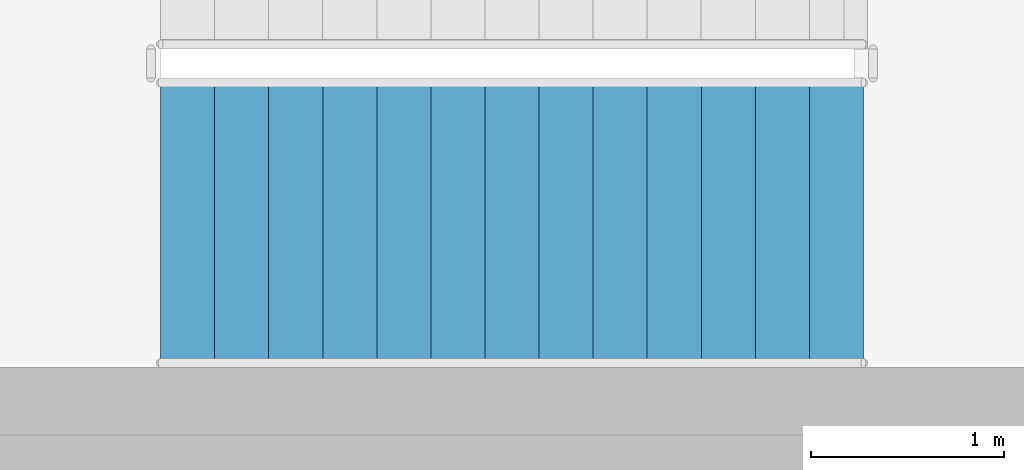
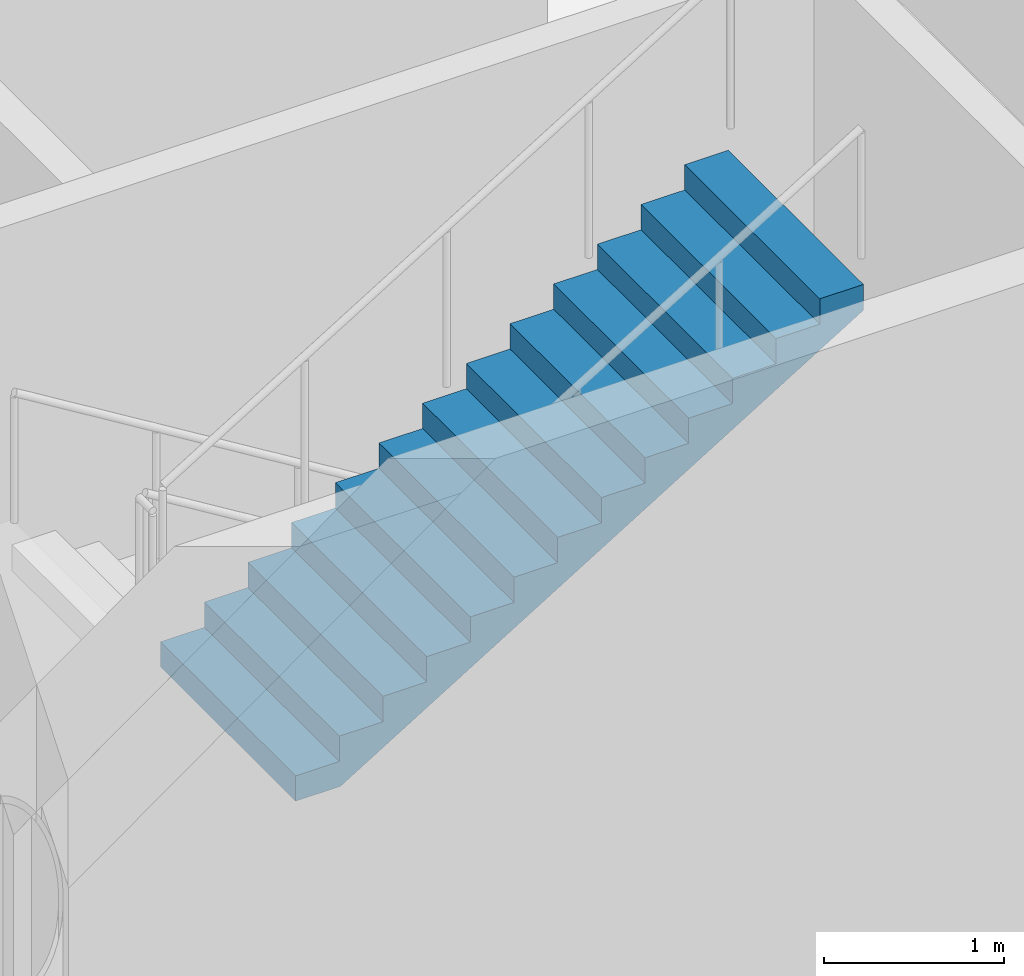
# One storey, part 65 of 91: 1 stair flight, 1 element without a shape of its own.
"""IFC4 building model written with IfcOpenShell, lengths in metres."""

import ifcopenshell
import ifcopenshell.guid

model = None  # the IFC model being written
_history = None  # IfcOwnerHistory: only IFC2X3 demands one
_inside = {}  # id of a spatial element -> (the spatial element, [elements in it])
_under = {}  # id of a project, library or spatial element -> (it, [spatial elements below it])
_declared = {}  # id of a project -> (the project, [libraries it declares])
_typed = {}  # id of a type object -> (the type object, [elements of that type])
_made_of = {}  # id of a material, layer set ... -> (it, [elements and type objects made of it])


def new_model(schema):
    """Start an empty IFC model of exactly this schema.

    Asked for "IFC4X3", IfcOpenShell would pick the latest addendum, in which some entities
    have other attributes; the version numbers below select the first issue.
    IFC2X3 requires an IfcOwnerHistory on every rooted entity: one is made here for all.
    """
    global model, _history
    if schema == "IFC4X3":
        model = ifcopenshell.file(schema_version=(4, 3, 0, 0))
    else:
        model = ifcopenshell.file(schema=schema)
    _inside.clear()
    _under.clear()
    _declared.clear()
    _typed.clear()
    _made_of.clear()
    _history = None
    if model.schema == "IFC2X3":
        org = make("IfcOrganization", Name="unknown")
        user = make(
            "IfcPersonAndOrganization",
            ThePerson=make("IfcPerson", FamilyName="unknown"),
            TheOrganization=org,
        )
        app = make(
            "IfcApplication",
            ApplicationDeveloper=org,
            Version="unknown",
            ApplicationFullName="unknown",
            ApplicationIdentifier="unknown",
        )
        _history = make(
            "IfcOwnerHistory",
            OwningUser=user,
            OwningApplication=app,
            ChangeAction="ADDED",
            CreationDate=0,
        )
    return model


def make(cls, **values):
    """One entity of the class cls with the attributes given. An attribute that is None is left unset."""
    return model.create_entity(
        cls, **{name: value for name, value in values.items() if value is not None}
    )


def rooted(cls, **values):
    """An entity with a GlobalId (a new one), such as an element, a storey or a relation."""
    return make(cls, GlobalId=ifcopenshell.guid.new(), OwnerHistory=_history, **values)


def si_unit(unit_type, name, prefix=None):
    """IfcSIUnit, for example si_unit("LENGTHUNIT", "METRE", prefix="MILLI")."""
    return make("IfcSIUnit", UnitType=unit_type, Prefix=prefix, Name=name)


def assignment(units):
    """IfcUnitAssignment: the units of a project."""
    return None if units is None else make("IfcUnitAssignment", Units=units)


def point(xyz):
    """IfcCartesianPoint."""
    return None if xyz is None else make("IfcCartesianPoint", Coordinates=xyz)


def direction(xyz):
    """IfcDirection."""
    return None if xyz is None else make("IfcDirection", DirectionRatios=xyz)


def frame(location, z_axis=None, x_axis=None):
    """IfcAxis2Placement3D, a coordinate frame: its origin and axes. An axis left out is left unset."""
    return make(
        "IfcAxis2Placement3D",
        Location=point(location),
        Axis=direction(z_axis),
        RefDirection=direction(x_axis),
    )


def origin():
    """The frame at (0, 0, 0) with its axes left unset."""
    return frame((0.0, 0.0, 0.0))


def place(relative_to, where):
    """IfcLocalPlacement: puts the frame where relative to a parent placement (None: the world)."""
    return make(
        "IfcLocalPlacement", PlacementRelTo=relative_to, RelativePlacement=where
    )


def context(
    kind, dimensions, precision=None, world=None, true_north=None, identifier=None
):
    """IfcGeometricRepresentationContext, for example the 3D "Model" context."""
    return make(
        "IfcGeometricRepresentationContext",
        ContextIdentifier=identifier,
        ContextType=kind,
        CoordinateSpaceDimension=dimensions,
        Precision=precision,
        WorldCoordinateSystem=world,
        TrueNorth=true_north,
    )


def subcontext(parent, identifier, kind, view, scale=None):
    """IfcGeometricRepresentationSubContext, for example "Body" below "Model"."""
    return make(
        "IfcGeometricRepresentationSubContext",
        ContextIdentifier=identifier,
        ContextType=kind,
        ParentContext=parent,
        TargetScale=scale,
        TargetView=view,
    )


def project(units=None, contexts=None):
    """IfcProject with its units and contexts."""
    return rooted(
        "IfcProject",
        Name="project",
        RepresentationContexts=contexts,
        UnitsInContext=assignment(units),
    )


def spatial(cls, under=None, at=None, **own):
    """A site, building, storey or space (cls), placed at a placement, below another one or the project."""
    s = rooted(cls, ObjectPlacement=at, **own)
    if under is not None:
        _under.setdefault(under.id(), (under, []))[1].append(s)
    return s


def point_list(points):
    """IfcCartesianPointList2D or 3D."""
    cls = (
        "IfcCartesianPointList2D" if len(points[0]) == 2 else "IfcCartesianPointList3D"
    )
    return make(cls, CoordList=points)


def triangles(points, corners, closed=None, point_numbers=None):
    """IfcTriangulatedFaceSet: each triangle names its three corners, points numbered from 1."""
    return make(
        "IfcTriangulatedFaceSet",
        Coordinates=point_list(points),
        Closed=closed,
        CoordIndex=corners,
        PnIndex=point_numbers,
    )


def shape(context_of_items, identifier, shape_type, items):
    """IfcShapeRepresentation: the items that make up one representation, for example the "Body"."""
    return make(
        "IfcShapeRepresentation",
        ContextOfItems=context_of_items,
        RepresentationIdentifier=identifier,
        RepresentationType=shape_type,
        Items=items,
    )


def material(Name=None, Category=None):
    """IfcMaterial."""
    return make("IfcMaterial", Name=Name, Category=Category)


def made_of(thing, what):
    """Note that an element or type object is made of a material, layer set ...; save() writes the relation."""
    if what is not None:
        _made_of.setdefault(what.id(), (what, []))[1].append(thing)
    return thing


def type_object(cls, material=None, **own):
    """A type object (cls), such as IfcWallType, which elements share."""
    return made_of(rooted(cls, **own), material)


def element(
    cls,
    number,
    at=None,
    inside=None,
    cuts=None,
    type_object=None,
    material=None,
    context=None,
    identifier="Body",
    shape_type=None,
    held_by="IfcProductDefinitionShape",
    body=None,
    shapes=None,
    **own,
):
    """One element of the class cls, such as IfcWall. Its Tag is "e" and its number.

    at: its placement. inside: the storey or other place that contains it. cuts: it is an
    opening in that element (IfcRelVoidsElement). A single representation is given by context,
    identifier, shape_type and body (its items); several are given by shapes. held_by: the class
    of the entity that holds the representations. save() writes the other relations.
    """
    e = rooted(cls, Tag="e%d" % number, ObjectPlacement=at, **own)
    if body is not None:
        shapes = [shape(context, identifier, shape_type, body)]
    if shapes is not None:
        e.Representation = make(held_by, Representations=shapes)
    if inside is not None:
        _inside.setdefault(inside.id(), (inside, []))[1].append(e)
    if cuts is not None:
        rooted(
            "IfcRelVoidsElement", RelatingBuildingElement=cuts, RelatedOpeningElement=e
        )
    if type_object is not None:
        _typed.setdefault(type_object.id(), (type_object, []))[1].append(e)
    return made_of(e, material)


def aggregate(whole, parts):
    """IfcRelAggregates: a whole, such as a stair, and the parts it consists of."""
    return rooted("IfcRelAggregates", RelatingObject=whole, RelatedObjects=parts)


def save(model, path):
    """Write the relations noted so far, then the file.

    IfcRelAggregates (storeys below a building ...), IfcRelContainedInSpatialStructure (elements
    in a storey), IfcRelDefinesByType, IfcRelAssociatesMaterial and IfcRelDeclares: one each for
    every whole, place, type object, material and project.
    """
    for whole, parts in _under.values():
        aggregate(whole, parts)
    for where, things in _inside.values():
        rooted(
            "IfcRelContainedInSpatialStructure",
            RelatedElements=things,
            RelatingStructure=where,
        )
    for kind, things in _typed.values():
        rooted("IfcRelDefinesByType", RelatedObjects=things, RelatingType=kind)
    for what, things in _made_of.values():
        rooted("IfcRelAssociatesMaterial", RelatedObjects=things, RelatingMaterial=what)
    for by, libraries in _declared.values():
        rooted("IfcRelDeclares", RelatingContext=by, RelatedDefinitions=libraries)
    model.write(path)


model = new_model("IFC4")

# Units and contexts
model_context = context("Model", 3, precision=1e-05, world=origin(), true_north=direction((0.0, 1.0)))
body_context = subcontext(model_context, "Body", "Model", "MODEL_VIEW")
ifc_project = project(units=[si_unit("LENGTHUNIT", "METRE"), si_unit("AREAUNIT", "SQUARE_METRE"), si_unit("VOLUMEUNIT", "CUBIC_METRE"), si_unit("PLANEANGLEUNIT", "RADIAN"), si_unit("MASSUNIT", "GRAM", prefix="KILO")], contexts=[model_context])

# Site, building, storey
site_placement = place(None, origin())
site = spatial("IfcSite", under=ifc_project, at=site_placement, CompositionType="ELEMENT")
building_placement = place(site_placement, origin())
building = spatial("IfcBuilding", under=site, at=building_placement, Name="Magnolia Steps Interchange", CompositionType="ELEMENT")
storey_placement = place(building_placement, origin())
storey = spatial("IfcBuildingStorey", under=building, at=storey_placement, Name="L00", CompositionType="ELEMENT", Elevation=0.0)

# Stair, stair flight
ifc_material_1 = material(Name="Concrete C40", Category="concrete")
stair_type = type_object("IfcStairType", Name="Exit stair 1500", PredefinedType="HALF_TURN_STAIR", material=ifc_material_1)
stair_placement = place(storey_placement, origin())
stair = element("IfcStair", 1, at=stair_placement, inside=storey, type_object=stair_type, Name="L00 Stair 1", PredefinedType="HALF_TURN_STAIR")
ifc_material_2 = material(Name="Concrete C40", Category="concrete")
stair_flight_type = type_object("IfcStairFlightType", Name="Exit stair flight", PredefinedType="STRAIGHT", material=ifc_material_2)
stair_flight_placement = place(storey_placement, frame((55.360107421875, 76.050048828125, 2.39990234375), z_axis=(0.0, 0.0, 1.0), x_axis=(1.0, 0.0, 0.0)))
stair_flight = element("IfcStairFlight", 2, at=stair_flight_placement, type_object=stair_flight_type, Name="Stair 1 flight 2", NumberOfRisers=14, NumberOfTreads=13, PredefinedType="STRAIGHT", RiserHeight=0.171428571, TreadLength=0.28, context=body_context, shape_type="Tessellation", body=[
    triangles([(0.0, -0.75, 0.0), (0.287109375, -0.75, 0.0), (3.639892578125, -0.75, 2.052734375), (3.639892578125, -0.75, 2.228515625), (3.360107421875, -0.75, 2.228515625), (3.360107421875, -0.75, 2.05712890625), (3.080078125, -0.75, 2.05712890625), (3.080078125, -0.75, 1.8857421875), (2.800048828125, -0.75, 1.8857421875), (2.800048828125, -0.75, 1.71435546875), (2.52001953125, -0.75, 1.71435546875), (2.52001953125, -0.75, 1.54296875), (2.239990234375, -0.75, 1.54296875), (2.239990234375, -0.75, 1.371337890625), (1.9599609375, -0.75, 1.371337890625), (1.9599609375, -0.75, 1.199951171875), (1.679931640625, -0.75, 1.199951171875), (1.679931640625, -0.75, 1.028564453125), (1.39990234375, -0.75, 1.028564453125), (1.39990234375, -0.75, 0.857177734375), (1.1201171875, -0.75, 0.857177734375), (1.1201171875, -0.75, 0.685791015625), (0.840087890625, -0.75, 0.685791015625), (0.840087890625, -0.75, 0.514404296875), (0.56005859375, -0.75, 0.514404296875), (0.56005859375, -0.75, 0.3427734375), (0.280029296875, -0.75, 0.3427734375), (0.280029296875, -0.75, 0.17138671875), (0.0, -0.75, 0.17138671875), (0.0, 0.75, 0.0), (0.287109375, 0.75, 0.0), (3.639892578125, 0.75, 2.052734375), (3.639892578125, 0.75, 2.228515625), (3.360107421875, 0.75, 2.228515625), (3.360107421875, 0.75, 2.05712890625), (3.080078125, 0.75, 2.05712890625), (3.080078125, 0.75, 1.8857421875), (2.800048828125, 0.75, 1.8857421875), (2.800048828125, 0.75, 1.71435546875), (2.52001953125, 0.75, 1.71435546875), (2.52001953125, 0.75, 1.54296875), (2.239990234375, 0.75, 1.54296875), (2.239990234375, 0.75, 1.371337890625), (1.9599609375, 0.75, 1.371337890625), (1.9599609375, 0.75, 1.199951171875), (1.679931640625, 0.75, 1.199951171875), (1.679931640625, 0.75, 1.028564453125), (1.39990234375, 0.75, 1.028564453125), (1.39990234375, 0.75, 0.857177734375), (1.1201171875, 0.75, 0.857177734375), (1.1201171875, 0.75, 0.685791015625), (0.840087890625, 0.75, 0.685791015625), (0.840087890625, 0.75, 0.514404296875), (0.56005859375, 0.75, 0.514404296875), (0.56005859375, 0.75, 0.3427734375), (0.280029296875, 0.75, 0.3427734375), (0.280029296875, 0.75, 0.17138671875), (0.0, 0.75, 0.17138671875), (0.0, 0.0, 0.0), (0.0, 0.0, 0.0428466796875), (0.0, 0.0, 0.085693359375), (0.0, 0.0, 0.1285400390625), (0.0, 0.0, 0.17138671875), (0.0, -0.05, 0.0), (0.0, -0.05, 0.17138671875), (0.0, 0.05, 0.0), (0.0, 0.05, 0.17138671875), (0.046671549479166664, 0.0, 0.17138671875), (0.09334309895833333, 0.0, 0.17138671875), (0.1400146484375, 0.0, 0.17138671875), (0.18668619791666666, 0.0, 0.17138671875), (0.23335774739583334, 0.0, 0.17138671875), (0.280029296875, 0.0, 0.17138671875), (0.280029296875, -0.05, 0.17138671875), (0.280029296875, 0.05, 0.17138671875), (0.280029296875, 0.0, 0.2142333984375), (0.280029296875, 0.0, 0.257080078125), (0.280029296875, 0.0, 0.2999267578125), (0.280029296875, 0.0, 0.3427734375), (0.280029296875, -0.05, 0.3427734375), (0.280029296875, 0.05, 0.3427734375), (0.3267008463541667, 0.0, 0.3427734375), (0.3733723958333333, 0.0, 0.3427734375), (0.4200439453125, 0.0, 0.3427734375), (0.46671549479166663, 0.0, 0.3427734375), (0.5133870442708334, 0.0, 0.3427734375), (0.56005859375, 0.0, 0.3427734375), (0.56005859375, -0.05, 0.3427734375), (0.56005859375, 0.05, 0.3427734375), (0.56005859375, 0.0, 0.38568115234375), (0.56005859375, 0.0, 0.4285888671875), (0.56005859375, 0.0, 0.47149658203125), (0.56005859375, 0.0, 0.514404296875), (0.56005859375, -0.05, 0.514404296875), (0.56005859375, 0.05, 0.514404296875), (0.6067301432291666, 0.0, 0.514404296875), (0.6534016927083334, 0.0, 0.514404296875), (0.7000732421875, 0.0, 0.514404296875), (0.7467447916666666, 0.0, 0.514404296875), (0.7934163411458334, 0.0, 0.514404296875), (0.840087890625, 0.0, 0.514404296875), (0.840087890625, -0.05, 0.514404296875), (0.840087890625, 0.05, 0.514404296875), (0.840087890625, 0.0, 0.5572509765625), (0.840087890625, 0.0, 0.60009765625), (0.840087890625, 0.0, 0.6429443359375), (0.840087890625, 0.0, 0.685791015625), (0.840087890625, -0.05, 0.685791015625), (0.840087890625, 0.05, 0.685791015625), (0.8867594401041666, 0.0, 0.685791015625), (0.9334309895833334, 0.0, 0.685791015625), (0.9801025390625, 0.0, 0.685791015625), (1.0267740885416667, 0.0, 0.685791015625), (1.0734456380208333, 0.0, 0.685791015625), (1.1201171875, 0.0, 0.685791015625), (1.1201171875, -0.05, 0.685791015625), (1.1201171875, 0.05, 0.685791015625), (1.1201171875, 0.0, 0.7286376953125), (1.1201171875, 0.0, 0.771484375), (1.1201171875, 0.0, 0.8143310546875), (1.1201171875, 0.0, 0.857177734375), (1.1201171875, -0.05, 0.857177734375), (1.1201171875, 0.05, 0.857177734375), (1.1900634765625, 0.0, 0.857177734375), (1.260009765625, 0.0, 0.857177734375), (1.3299560546875, 0.0, 0.857177734375), (1.39990234375, 0.0, 0.857177734375), (1.39990234375, -0.05, 0.857177734375), (1.39990234375, 0.05, 0.857177734375), (1.39990234375, 0.0, 0.9000244140625), (1.39990234375, 0.0, 0.94287109375), (1.39990234375, 0.0, 0.9857177734375), (1.39990234375, 0.0, 1.028564453125), (1.39990234375, -0.05, 1.028564453125), (1.39990234375, 0.05, 1.028564453125), (1.4465738932291667, 0.0, 1.028564453125), (1.4932454427083333, 0.0, 1.028564453125), (1.5399169921875, 0.0, 1.028564453125), (1.5865885416666667, 0.0, 1.028564453125), (1.6332600911458333, 0.0, 1.028564453125), (1.679931640625, 0.0, 1.028564453125), (1.679931640625, -0.05, 1.028564453125), (1.679931640625, 0.05, 1.028564453125), (1.679931640625, 0.0, 1.0714111328125), (1.679931640625, 0.0, 1.1142578125), (1.679931640625, 0.0, 1.1571044921875), (1.679931640625, 0.0, 1.199951171875), (1.679931640625, -0.05, 1.199951171875), (1.679931640625, 0.05, 1.199951171875), (1.7266031901041667, 0.0, 1.199951171875), (1.7732747395833333, 0.0, 1.199951171875), (1.8199462890625, 0.0, 1.199951171875), (1.8666178385416667, 0.0, 1.199951171875), (1.9132893880208333, 0.0, 1.199951171875), (1.9599609375, 0.0, 1.199951171875), (1.9599609375, -0.05, 1.199951171875), (1.9599609375, 0.05, 1.199951171875), (1.9599609375, 0.0, 1.2427978515625), (1.9599609375, 0.0, 1.28564453125), (1.9599609375, 0.0, 1.3284912109375), (1.9599609375, 0.0, 1.371337890625), (1.9599609375, -0.05, 1.371337890625), (1.9599609375, 0.05, 1.371337890625), (2.0066324869791665, 0.0, 1.371337890625), (2.0533040364583335, 0.0, 1.371337890625), (2.0999755859375, 0.0, 1.371337890625), (2.1466471354166665, 0.0, 1.371337890625), (2.1933186848958335, 0.0, 1.371337890625), (2.239990234375, 0.0, 1.371337890625), (2.239990234375, -0.05, 1.371337890625), (2.239990234375, 0.05, 1.371337890625), (2.239990234375, 0.0, 1.41424560546875), (2.239990234375, 0.0, 1.4571533203125), (2.239990234375, 0.0, 1.50006103515625), (2.239990234375, 0.0, 1.54296875), (2.239990234375, -0.05, 1.54296875), (2.239990234375, 0.05, 1.54296875), (2.2866617838541665, 0.0, 1.54296875), (2.3333333333333335, 0.0, 1.54296875), (2.3800048828125, 0.0, 1.54296875), (2.4266764322916665, 0.0, 1.54296875), (2.4733479817708335, 0.0, 1.54296875), (2.52001953125, 0.0, 1.54296875), (2.52001953125, -0.05, 1.54296875), (2.52001953125, 0.05, 1.54296875), (2.52001953125, 0.0, 1.5858154296875), (2.52001953125, 0.0, 1.628662109375), (2.52001953125, 0.0, 1.6715087890625), (2.52001953125, 0.0, 1.71435546875), (2.52001953125, -0.05, 1.71435546875), (2.52001953125, 0.05, 1.71435546875), (2.5666910807291665, 0.0, 1.71435546875), (2.6133626302083335, 0.0, 1.71435546875), (2.6600341796875, 0.0, 1.71435546875), (2.7067057291666665, 0.0, 1.71435546875), (2.7533772786458335, 0.0, 1.71435546875), (2.800048828125, 0.0, 1.71435546875), (2.800048828125, -0.05, 1.71435546875), (2.800048828125, 0.05, 1.71435546875), (2.800048828125, 0.0, 1.7572021484375), (2.800048828125, 0.0, 1.800048828125), (2.800048828125, 0.0, 1.8428955078125), (2.800048828125, 0.0, 1.8857421875), (2.800048828125, -0.05, 1.8857421875), (2.800048828125, 0.05, 1.8857421875), (2.8467203776041665, 0.0, 1.8857421875), (2.8933919270833335, 0.0, 1.8857421875), (2.9400634765625, 0.0, 1.8857421875), (2.9867350260416665, 0.0, 1.8857421875), (3.0334065755208335, 0.0, 1.8857421875), (3.080078125, 0.0, 1.8857421875), (3.080078125, -0.05, 1.8857421875), (3.080078125, 0.05, 1.8857421875), (3.080078125, 0.0, 1.9285888671875), (3.080078125, 0.0, 1.971435546875), (3.080078125, 0.0, 2.0142822265625), (3.080078125, 0.0, 2.05712890625), (3.080078125, -0.05, 2.05712890625), (3.080078125, 0.05, 2.05712890625), (3.1267496744791665, 0.0, 2.05712890625), (3.1734212239583335, 0.0, 2.05712890625), (3.2200927734375, 0.0, 2.05712890625), (3.2667643229166665, 0.0, 2.05712890625), (3.3134358723958335, 0.0, 2.05712890625), (3.360107421875, 0.0, 2.05712890625), (3.360107421875, -0.05, 2.05712890625), (3.360107421875, 0.05, 2.05712890625), (3.360107421875, 0.0, 2.0999755859375), (3.360107421875, 0.0, 2.142822265625), (3.360107421875, 0.0, 2.1856689453125), (3.360107421875, 0.0, 2.228515625), (3.360107421875, -0.05, 2.228515625), (3.360107421875, 0.05, 2.228515625), (3.4300537109375, 0.0, 2.228515625), (3.5, 0.0, 2.228515625), (3.5699462890625, 0.0, 2.228515625), (3.639892578125, 0.0, 2.228515625), (3.639892578125, -0.05, 2.228515625), (3.639892578125, 0.05, 2.228515625), (3.639892578125, 0.0, 2.1845703125), (3.639892578125, 0.0, 2.140625), (3.639892578125, 0.0, 2.0966796875), (3.639892578125, 0.0, 2.052734375), (3.639892578125, -0.05, 2.052734375), (3.639892578125, 0.05, 2.052734375), (3.582085971174569, 0.0, 2.0173424030172415), (3.524279364224138, 0.0, 1.9819504310344827), (3.466472757273707, 0.0, 1.9465584590517242), (3.408666150323276, 0.0, 1.9111664870689655), (3.3508595433728448, 0.0, 1.8757745150862069), (3.2930529364224137, 0.0, 1.8403825431034484), (3.2352463294719827, 0.0, 1.8049905711206897), (3.1774397225215516, 0.0, 1.769598599137931), (3.1196331155711206, 0.0, 1.7342066271551724), (3.0618265086206895, 0.0, 1.6988146551724137), (3.004019901670259, 0.0, 1.6634226831896552), (2.9462132947198274, 0.0, 1.6280307112068966), (2.888406687769397, 0.0, 1.592638739224138), (2.8306000808189653, 0.0, 1.5572467672413794), (2.7727934738685347, 0.0, 1.5218547952586206), (2.714986866918103, 0.0, 1.486462823275862), (2.6571802599676726, 0.0, 1.4510708512931034), (2.599373653017241, 0.0, 1.4156788793103448), (2.5415670460668105, 0.0, 1.3802869073275863), (2.483760439116379, 0.0, 1.3448949353448276), (2.4259538321659484, 0.0, 1.309502963362069), (2.3681472252155173, 0.0, 1.2741109913793105), (2.3103406182650863, 0.0, 1.2387190193965516), (2.2525340113146552, 0.0, 1.2033270474137931), (2.194727404364224, 0.0, 1.1679350754310345), (2.136920797413793, 0.0, 1.1325431034482758), (2.079114190463362, 0.0, 1.0971511314655173), (2.021307583512931, 0.0, 1.0617591594827587), (1.9635009765625, 0.0, 1.0263671875), (1.905694369612069, 0.0, 0.9909752155172413), (1.847887762661638, 0.0, 0.9555832435344827), (1.7900811557112069, 0.0, 0.9201912715517242), (1.7322745487607758, 0.0, 0.8847992995689655), (1.6744679418103448, 0.0, 0.8494073275862069), (1.6166613348599137, 0.0, 0.8140153556034482), (1.5588547279094827, 0.0, 0.7786233836206897), (1.5010481209590516, 0.0, 0.743231411637931), (1.4432415140086206, 0.0, 0.7078394396551724), (1.3854349070581895, 0.0, 0.6724474676724137), (1.3276283001077585, 0.0, 0.6370554956896552), (1.2698216931573274, 0.0, 0.6016635237068966), (1.2120150862068964, 0.0, 0.5662715517241379), (1.1542084792564653, 0.0, 0.5308795797413792), (1.0964018723060347, 0.0, 0.4954876077586208), (1.0385952653556036, 0.0, 0.4600956357758621), (0.9807886584051726, 0.0, 0.4247036637931034), (0.9229820514547415, 0.0, 0.38931169181034475), (0.8651754445043105, 0.0, 0.3539197198275863), (0.8073688375538794, 0.0, 0.3185277478448276), (0.7495622306034484, 0.0, 0.28313577586206895), (0.6917556236530173, 0.0, 0.24774380387931028), (0.6339490167025863, 0.0, 0.21235183189655182), (0.5761424097521552, 0.0, 0.17695985991379315), (0.5183358028017242, 0.0, 0.14156788793103448), (0.46052919585129315, 0.0, 0.1061759159482758), (0.4027225889008621, 0.0, 0.07078394396551735), (0.34491598195043105, 0.0, 0.03539197198275845), (0.287109375, 0.0, 0.0), (0.287109375, -0.05, 0.0), (0.287109375, 0.05, 0.0), (0.2392578125, 0.0, 0.0), (0.19140625, 0.0, 0.0), (0.1435546875, 0.0, 0.0), (0.095703125, 0.0, 0.0), (0.0478515625, 0.0, 0.0)], [[1, 2, 3], [3, 4, 5], [3, 5, 6], [3, 6, 7], [3, 7, 8], [8, 9, 10], [3, 8, 10], [10, 11, 12], [3, 10, 12], [12, 13, 14], [3, 12, 14], [14, 15, 16], [3, 14, 16], [16, 17, 18], [3, 16, 18], [18, 19, 20], [3, 18, 20], [20, 21, 22], [3, 20, 22], [22, 23, 24], [3, 22, 24], [24, 25, 26], [3, 24, 26], [26, 27, 28], [3, 26, 28], [1, 3, 28], [28, 29, 1], [30, 32, 31], [32, 34, 33], [32, 35, 34], [32, 36, 35], [32, 37, 36], [37, 39, 38], [32, 39, 37], [39, 41, 40], [32, 41, 39], [41, 43, 42], [32, 43, 41], [43, 45, 44], [32, 45, 43], [45, 47, 46], [32, 47, 45], [47, 49, 48], [32, 49, 47], [49, 51, 50], [32, 51, 49], [51, 53, 52], [32, 53, 51], [53, 55, 54], [32, 55, 53], [55, 57, 56], [32, 57, 55], [30, 57, 32], [57, 30, 58], [1, 29, 65], [1, 65, 64], [64, 60, 59], [64, 61, 60], [64, 65, 61], [65, 62, 61], [65, 63, 62], [30, 67, 58], [30, 66, 67], [66, 59, 60], [66, 60, 61], [66, 61, 67], [67, 61, 62], [67, 62, 63], [29, 28, 74], [29, 74, 65], [65, 68, 63], [65, 69, 68], [65, 70, 69], [65, 74, 70], [74, 71, 70], [74, 72, 71], [74, 73, 72], [58, 75, 57], [58, 67, 75], [67, 63, 68], [67, 68, 69], [67, 69, 70], [67, 70, 75], [75, 70, 71], [75, 71, 72], [75, 72, 73], [28, 27, 80], [28, 80, 74], [74, 76, 73], [74, 77, 76], [74, 80, 77], [80, 78, 77], [80, 79, 78], [57, 81, 56], [57, 75, 81], [75, 73, 76], [75, 76, 77], [75, 77, 81], [81, 77, 78], [81, 78, 79], [27, 26, 88], [27, 88, 80], [80, 82, 79], [80, 83, 82], [80, 84, 83], [80, 88, 84], [88, 85, 84], [88, 86, 85], [88, 87, 86], [56, 89, 55], [56, 81, 89], [81, 79, 82], [81, 82, 83], [81, 83, 84], [81, 84, 89], [89, 84, 85], [89, 85, 86], [89, 86, 87], [26, 25, 94], [26, 94, 88], [88, 90, 87], [88, 91, 90], [88, 94, 91], [94, 92, 91], [94, 93, 92], [55, 95, 54], [55, 89, 95], [89, 87, 90], [89, 90, 91], [89, 91, 95], [95, 91, 92], [95, 92, 93], [25, 24, 102], [25, 102, 94], [94, 96, 93], [94, 97, 96], [94, 98, 97], [94, 102, 98], [102, 99, 98], [102, 100, 99], [102, 101, 100], [54, 103, 53], [54, 95, 103], [95, 93, 96], [95, 96, 97], [95, 97, 98], [95, 98, 103], [103, 98, 99], [103, 99, 100], [103, 100, 101], [24, 23, 108], [24, 108, 102], [102, 104, 101], [102, 105, 104], [102, 108, 105], [108, 106, 105], [108, 107, 106], [53, 109, 52], [53, 103, 109], [103, 101, 104], [103, 104, 105], [103, 105, 109], [109, 105, 106], [109, 106, 107], [23, 22, 116], [23, 116, 108], [108, 110, 107], [108, 111, 110], [108, 112, 111], [108, 116, 112], [116, 113, 112], [116, 114, 113], [116, 115, 114], [52, 117, 51], [52, 109, 117], [109, 107, 110], [109, 110, 111], [109, 111, 112], [109, 112, 117], [117, 112, 113], [117, 113, 114], [117, 114, 115], [22, 21, 122], [22, 122, 116], [116, 118, 115], [116, 119, 118], [116, 122, 119], [122, 120, 119], [122, 121, 120], [51, 123, 50], [51, 117, 123], [117, 115, 118], [117, 118, 119], [117, 119, 123], [123, 119, 120], [123, 120, 121], [21, 20, 128], [21, 128, 122], [122, 124, 121], [122, 125, 124], [122, 128, 125], [128, 126, 125], [128, 127, 126], [50, 129, 49], [50, 123, 129], [123, 121, 124], [123, 124, 125], [123, 125, 129], [129, 125, 126], [129, 126, 127], [20, 19, 134], [20, 134, 128], [128, 130, 127], [128, 131, 130], [128, 134, 131], [134, 132, 131], [134, 133, 132], [49, 135, 48], [49, 129, 135], [129, 127, 130], [129, 130, 131], [129, 131, 135], [135, 131, 132], [135, 132, 133], [19, 18, 142], [19, 142, 134], [134, 136, 133], [134, 137, 136], [134, 138, 137], [134, 142, 138], [142, 139, 138], [142, 140, 139], [142, 141, 140], [48, 143, 47], [48, 135, 143], [135, 133, 136], [135, 136, 137], [135, 137, 138], [135, 138, 143], [143, 138, 139], [143, 139, 140], [143, 140, 141], [18, 17, 148], [18, 148, 142], [142, 144, 141], [142, 145, 144], [142, 148, 145], [148, 146, 145], [148, 147, 146], [47, 149, 46], [47, 143, 149], [143, 141, 144], [143, 144, 145], [143, 145, 149], [149, 145, 146], [149, 146, 147], [17, 16, 156], [17, 156, 148], [148, 150, 147], [148, 151, 150], [148, 152, 151], [148, 156, 152], [156, 153, 152], [156, 154, 153], [156, 155, 154], [46, 157, 45], [46, 149, 157], [149, 147, 150], [149, 150, 151], [149, 151, 152], [149, 152, 157], [157, 152, 153], [157, 153, 154], [157, 154, 155], [16, 15, 162], [16, 162, 156], [156, 158, 155], [156, 159, 158], [156, 162, 159], [162, 160, 159], [162, 161, 160], [45, 163, 44], [45, 157, 163], [157, 155, 158], [157, 158, 159], [157, 159, 163], [163, 159, 160], [163, 160, 161], [15, 14, 170], [15, 170, 162], [162, 164, 161], [162, 165, 164], [162, 166, 165], [162, 170, 166], [170, 167, 166], [170, 168, 167], [170, 169, 168], [44, 171, 43], [44, 163, 171], [163, 161, 164], [163, 164, 165], [163, 165, 166], [163, 166, 171], [171, 166, 167], [171, 167, 168], [171, 168, 169], [14, 13, 176], [14, 176, 170], [170, 172, 169], [170, 173, 172], [170, 176, 173], [176, 174, 173], [176, 175, 174], [43, 177, 42], [43, 171, 177], [171, 169, 172], [171, 172, 173], [171, 173, 177], [177, 173, 174], [177, 174, 175], [13, 12, 184], [13, 184, 176], [176, 178, 175], [176, 179, 178], [176, 180, 179], [176, 184, 180], [184, 181, 180], [184, 182, 181], [184, 183, 182], [42, 185, 41], [42, 177, 185], [177, 175, 178], [177, 178, 179], [177, 179, 180], [177, 180, 185], [185, 180, 181], [185, 181, 182], [185, 182, 183], [12, 11, 190], [12, 190, 184], [184, 186, 183], [184, 187, 186], [184, 190, 187], [190, 188, 187], [190, 189, 188], [41, 191, 40], [41, 185, 191], [185, 183, 186], [185, 186, 187], [185, 187, 191], [191, 187, 188], [191, 188, 189], [11, 10, 198], [11, 198, 190], [190, 192, 189], [190, 193, 192], [190, 194, 193], [190, 198, 194], [198, 195, 194], [198, 196, 195], [198, 197, 196], [40, 199, 39], [40, 191, 199], [191, 189, 192], [191, 192, 193], [191, 193, 194], [191, 194, 199], [199, 194, 195], [199, 195, 196], [199, 196, 197], [10, 9, 204], [10, 204, 198], [198, 200, 197], [198, 201, 200], [198, 204, 201], [204, 202, 201], [204, 203, 202], [39, 205, 38], [39, 199, 205], [199, 197, 200], [199, 200, 201], [199, 201, 205], [205, 201, 202], [205, 202, 203], [9, 8, 212], [9, 212, 204], [204, 206, 203], [204, 207, 206], [204, 208, 207], [204, 212, 208], [212, 209, 208], [212, 210, 209], [212, 211, 210], [38, 213, 37], [38, 205, 213], [205, 203, 206], [205, 206, 207], [205, 207, 208], [205, 208, 213], [213, 208, 209], [213, 209, 210], [213, 210, 211], [8, 7, 218], [8, 218, 212], [212, 214, 211], [212, 215, 214], [212, 218, 215], [218, 216, 215], [218, 217, 216], [37, 219, 36], [37, 213, 219], [213, 211, 214], [213, 214, 215], [213, 215, 219], [219, 215, 216], [219, 216, 217], [7, 6, 226], [7, 226, 218], [218, 220, 217], [218, 221, 220], [218, 222, 221], [218, 226, 222], [226, 223, 222], [226, 224, 223], [226, 225, 224], [36, 227, 35], [36, 219, 227], [219, 217, 220], [219, 220, 221], [219, 221, 222], [219, 222, 227], [227, 222, 223], [227, 223, 224], [227, 224, 225], [6, 5, 232], [6, 232, 226], [226, 228, 225], [226, 229, 228], [226, 232, 229], [232, 230, 229], [232, 231, 230], [35, 233, 34], [35, 227, 233], [227, 225, 228], [227, 228, 229], [227, 229, 233], [233, 229, 230], [233, 230, 231], [5, 4, 238], [5, 238, 232], [232, 234, 231], [232, 235, 234], [232, 238, 235], [238, 236, 235], [238, 237, 236], [34, 239, 33], [34, 233, 239], [233, 231, 234], [233, 234, 235], [233, 235, 239], [239, 235, 236], [239, 236, 237], [4, 3, 244], [4, 244, 238], [238, 240, 237], [238, 241, 240], [238, 244, 241], [244, 242, 241], [244, 243, 242], [33, 245, 32], [33, 239, 245], [239, 237, 240], [239, 240, 241], [239, 241, 245], [245, 241, 242], [245, 242, 243], [3, 2, 304], [3, 304, 244], [244, 246, 243], [244, 247, 246], [244, 248, 247], [244, 249, 248], [244, 250, 249], [244, 251, 250], [244, 252, 251], [244, 253, 252], [244, 254, 253], [244, 255, 254], [244, 256, 255], [244, 257, 256], [244, 258, 257], [244, 259, 258], [244, 260, 259], [244, 261, 260], [244, 262, 261], [244, 263, 262], [244, 264, 263], [244, 265, 264], [244, 266, 265], [244, 267, 266], [244, 268, 267], [244, 269, 268], [244, 270, 269], [244, 271, 270], [244, 272, 271], [244, 273, 272], [244, 274, 273], [244, 304, 274], [304, 275, 274], [304, 276, 275], [304, 277, 276], [304, 278, 277], [304, 279, 278], [304, 280, 279], [304, 281, 280], [304, 282, 281], [304, 283, 282], [304, 284, 283], [304, 285, 284], [304, 286, 285], [304, 287, 286], [304, 288, 287], [304, 289, 288], [304, 290, 289], [304, 291, 290], [304, 292, 291], [304, 293, 292], [304, 294, 293], [304, 295, 294], [304, 296, 295], [304, 297, 296], [304, 298, 297], [304, 299, 298], [304, 300, 299], [304, 301, 300], [304, 302, 301], [304, 303, 302], [32, 305, 31], [32, 245, 305], [245, 243, 246], [245, 246, 247], [245, 247, 248], [245, 248, 249], [245, 249, 250], [245, 250, 251], [245, 251, 252], [245, 252, 253], [245, 253, 254], [245, 254, 255], [245, 255, 256], [245, 256, 257], [245, 257, 258], [245, 258, 259], [245, 259, 260], [245, 260, 261], [245, 261, 262], [245, 262, 263], [245, 263, 264], [245, 264, 265], [245, 265, 266], [245, 266, 267], [245, 267, 268], [245, 268, 269], [245, 269, 270], [245, 270, 271], [245, 271, 272], [245, 272, 273], [245, 273, 274], [245, 274, 305], [305, 274, 275], [305, 275, 276], [305, 276, 277], [305, 277, 278], [305, 278, 279], [305, 279, 280], [305, 280, 281], [305, 281, 282], [305, 282, 283], [305, 283, 284], [305, 284, 285], [305, 285, 286], [305, 286, 287], [305, 287, 288], [305, 288, 289], [305, 289, 290], [305, 290, 291], [305, 291, 292], [305, 292, 293], [305, 293, 294], [305, 294, 295], [305, 295, 296], [305, 296, 297], [305, 297, 298], [305, 298, 299], [305, 299, 300], [305, 300, 301], [305, 301, 302], [305, 302, 303], [2, 1, 64], [2, 64, 304], [304, 306, 303], [304, 307, 306], [304, 308, 307], [304, 64, 308], [64, 309, 308], [64, 310, 309], [64, 59, 310], [31, 66, 30], [31, 305, 66], [305, 303, 306], [305, 306, 307], [305, 307, 308], [305, 308, 66], [66, 308, 309], [66, 309, 310], [66, 310, 59]], closed=True),
])
aggregate(stair, [stair_flight])

save(model, "model.ifc")
